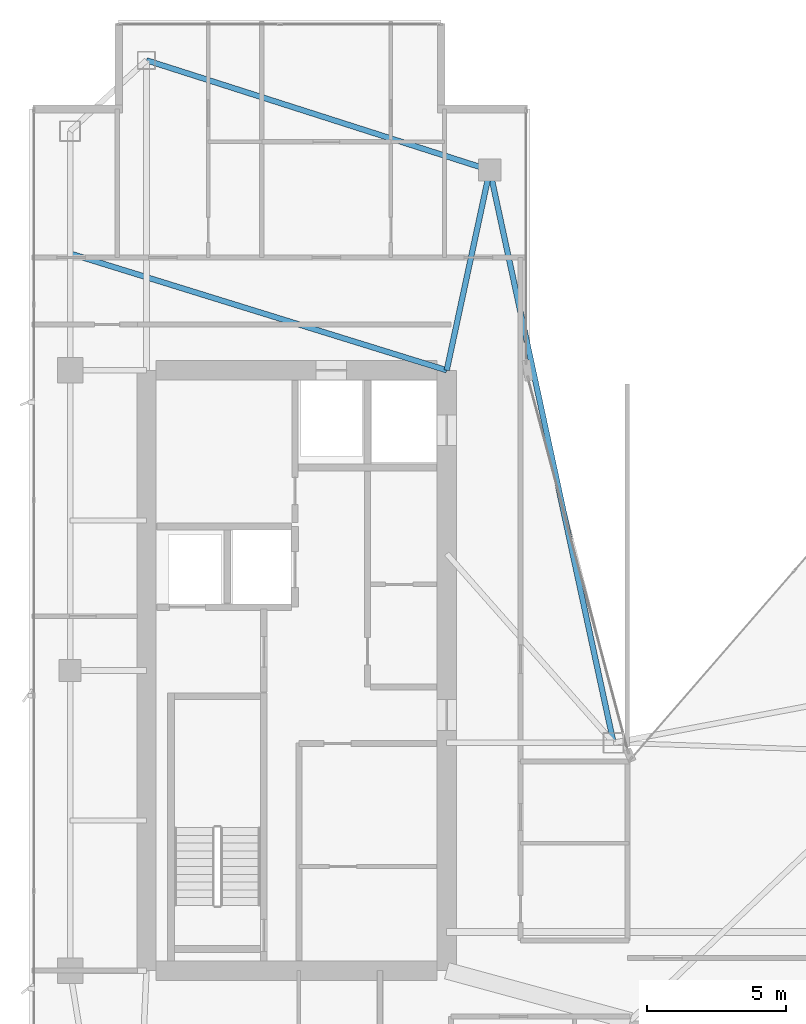
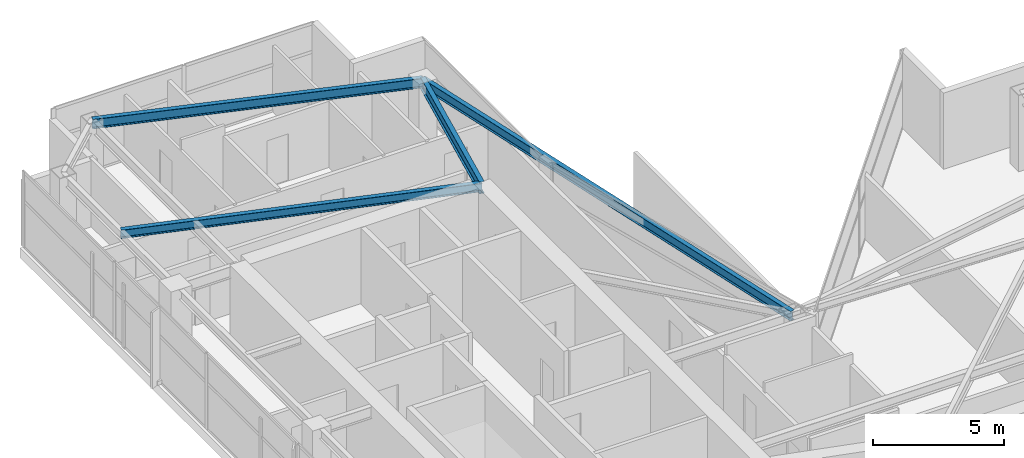
# One storey, part 17 of 28: 4 beams.
"""IFC4 building model written with IfcOpenShell, lengths in metres."""

from ifc_helpers import new_model, si_unit, direction, frame, origin, origin_2d, place, context, subcontext, project, spatial, i_section, extrude, material, material_profile, profile_set, type_object, element, save


model = new_model("IFC4")

# Units and contexts
model_context = context("Model", 3, precision=1e-05, world=origin(), true_north=direction((0.0, 1.0)))
body_context = subcontext(model_context, "Body", "Model", "MODEL_VIEW")
ifc_project = project(units=[si_unit("LENGTHUNIT", "METRE"), si_unit("AREAUNIT", "SQUARE_METRE"), si_unit("VOLUMEUNIT", "CUBIC_METRE"), si_unit("PLANEANGLEUNIT", "RADIAN"), si_unit("MASSUNIT", "GRAM", prefix="KILO")], contexts=[model_context])

# Site, building, storey
site_placement = place(None, origin())
site = spatial("IfcSite", under=ifc_project, at=site_placement, CompositionType="ELEMENT")
building_placement = place(site_placement, origin())
building = spatial("IfcBuilding", under=site, at=building_placement, Name="Calvorn Quay Hotel", CompositionType="ELEMENT")
storey_placement = place(building_placement, frame((0.0, 0.0, 243.800048828125)))
storey = spatial("IfcBuildingStorey", under=building, at=storey_placement, Name="L60", CompositionType="ELEMENT", Elevation=243.800048828125)

# Beams
ifc_material_1 = material(Name="Steel Q355B", Category="steel")
ifc_material_profile_1 = material_profile(ifc_material_1, i_section(OverallWidth=0.199951171875, OverallDepth=0.550048828125, WebThickness=0.010009765625, FlangeThickness=0.01611328125, FilletRadius=0.01806640625, at=origin_2d()), Name="HN550x200x10x16")
ifc_profile_set_1 = profile_set([ifc_material_profile_1], Name="Steel Q355B")
beam_type_1 = type_object("IfcBeamType", Name="BM-GIRD-UPP", PredefinedType="BEAM", material=ifc_profile_set_1)
beam_1_placement = place(storey_placement, frame((16.550048828125, 45.60009765625, 3.264892578125), z_axis=(-0.210457140491, -0.97760308511, 0.0), x_axis=(0.97760308511, -0.210457140491, 0.0)))
element("IfcBeam", 1, at=beam_1_placement, inside=storey, type_object=beam_type_1, Name="Beam BG-L60-W6", PredefinedType="BEAM", context=body_context, shape_type="SweptSolid", body=[
    extrude(i_section(OverallWidth=0.199951171875, OverallDepth=0.550048828125, WebThickness=0.010009765625, FlangeThickness=0.01611328125, FilletRadius=0.01806640625, at=origin_2d()), origin(), (0.0, 0.0, 1.0), 7.365234375),
])
ifc_material_2 = material(Name="Steel Q355B", Category="steel")
ifc_material_profile_2 = material_profile(ifc_material_2, i_section(OverallWidth=0.199951171875, OverallDepth=0.39990234375, WebThickness=0.008056640625, FlangeThickness=0.012939453125, FilletRadius=0.01611328125, at=origin_2d()), Name="HN400x200x8x13")
ifc_profile_set_2 = profile_set([ifc_material_profile_2], Name="Steel Q355B")
beam_type_2 = type_object("IfcBeamType", Name="BM-JOIST-TYP", PredefinedType="JOIST", material=ifc_profile_set_2)
beam_2_placement = place(storey_placement, frame((1.449951171875, 42.60009765625, 3.33984375), z_axis=(0.955163702122, -0.296078202759, 0.0), x_axis=(0.296078202759, 0.955163702122, 0.0)))
element("IfcBeam", 2, at=beam_2_placement, inside=storey, type_object=beam_type_2, Name="Beam BJ-L60-W2", PredefinedType="JOIST", context=body_context, shape_type="SweptSolid", body=[
    extrude(i_section(OverallWidth=0.199951171875, OverallDepth=0.39990234375, WebThickness=0.008056640625, FlangeThickness=0.012939453125, FilletRadius=0.01611328125, at=origin_2d()), origin(), (0.0, 0.0, 1.0), 14.18603515625),
])
ifc_material_3 = material(Name="Steel Q355B", Category="steel")
ifc_material_profile_3 = material_profile(ifc_material_3, i_section(OverallWidth=0.199951171875, OverallDepth=0.449951171875, WebThickness=0.009033203125, FlangeThickness=0.013916015625, FilletRadius=0.01611328125, at=origin_2d()), Name="HN450x200x9x14")
ifc_profile_set_3 = profile_set([ifc_material_profile_3], Name="Steel Q355B")
beam_type_3 = type_object("IfcBeamType", Name="BM-SPANDREL-Z3", PredefinedType="SPANDREL", material=ifc_profile_set_3)
beam_3_placement = place(storey_placement, frame((4.199951171875, 49.550048828125, 3.31494140625), z_axis=(0.952470702374, -0.304630203885, 0.0), x_axis=(0.304630203885, 0.952470702374, 0.0)))
element("IfcBeam", 3, at=beam_3_placement, inside=storey, type_object=beam_type_3, Name="Beam BSP-L60-W6", PredefinedType="SPANDREL", context=body_context, shape_type="SweptSolid", body=[
    extrude(i_section(OverallWidth=0.199951171875, OverallDepth=0.449951171875, WebThickness=0.009033203125, FlangeThickness=0.013916015625, FilletRadius=0.01611328125, at=origin_2d()), origin(), (0.0, 0.0, 1.0), 12.96630859375),
])
beam_4_placement = place(storey_placement, frame((16.550048828125, 45.60009765625, 3.31494140625), z_axis=(0.211145848376, -0.977454567084, 0.0), x_axis=(0.977454567084, 0.211145848376, 0.0)))
element("IfcBeam", 4, at=beam_4_placement, inside=storey, type_object=beam_type_3, Name="Beam BSP-L60-W7", PredefinedType="SPANDREL", context=body_context, shape_type="SweptSolid", body=[
    extrude(i_section(OverallWidth=0.199951171875, OverallDepth=0.449951171875, WebThickness=0.009033203125, FlangeThickness=0.013916015625, FilletRadius=0.01611328125, at=origin_2d()), origin(), (0.0, 0.0, 1.0), 21.0751953125),
])

save(model, "model.ifc")
